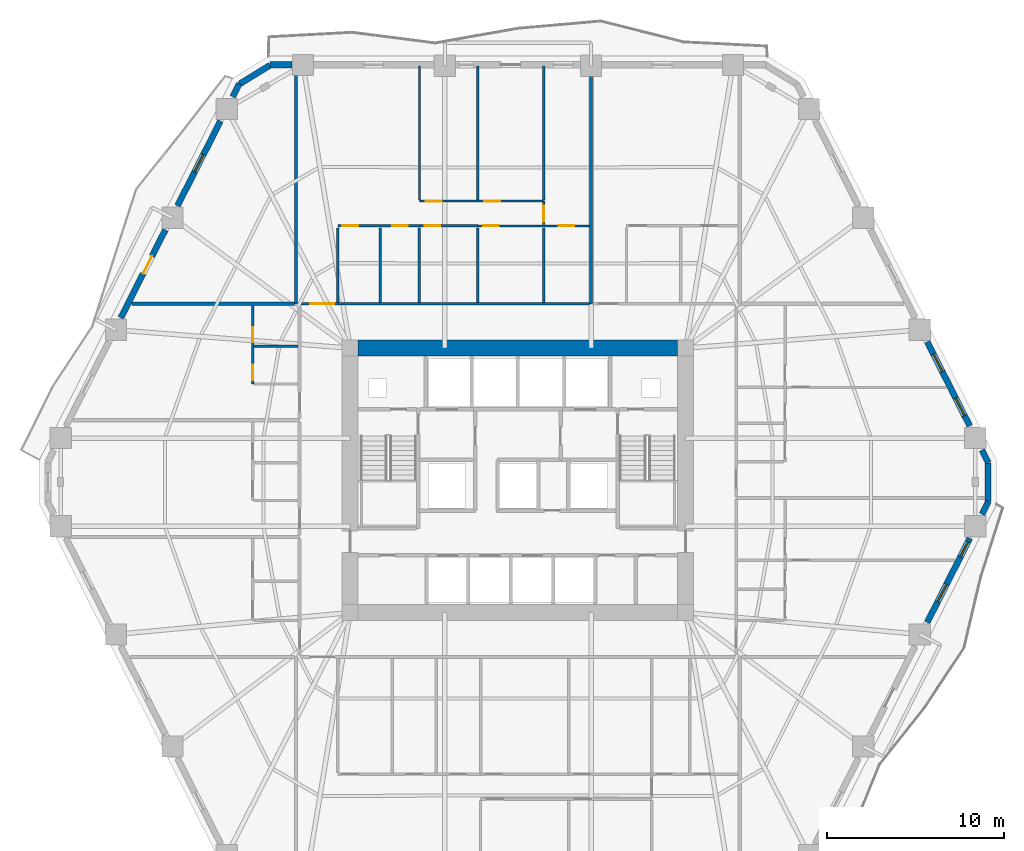
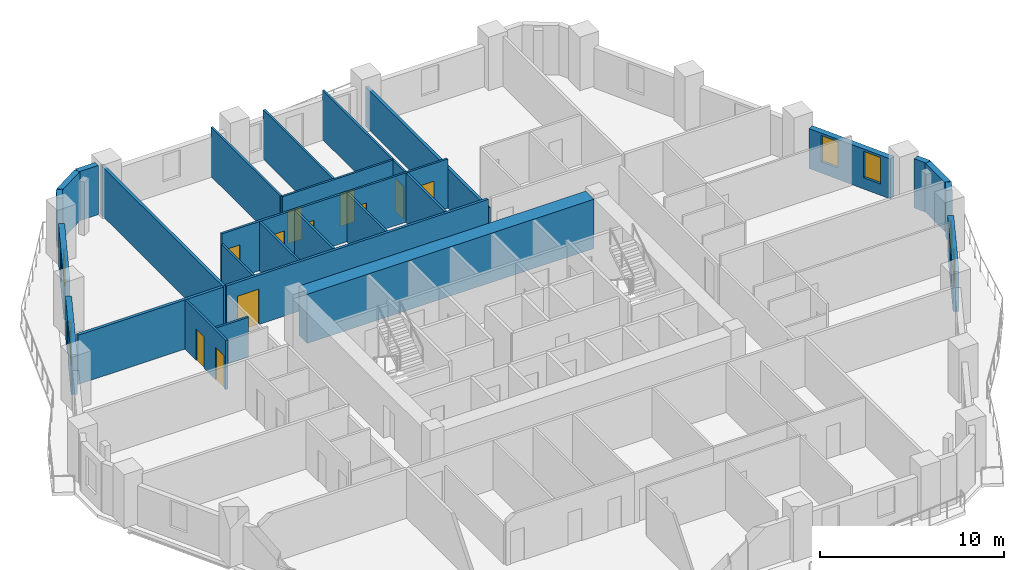
# One storey, part 7 of 12: 30 walls, 12 doors, 5 windows, 17 openings.
"""IFC4 building model written with IfcOpenShell, lengths in metres."""

from ifc_helpers import new_model, si_unit, direction, frame, frame_2d, origin, place, context, subcontext, project, spatial, rectangle, extrude, material, layer, layer_set, type_object, element, fill, save


model = new_model("IFC4")

# Units and contexts
model_context = context("Model", 3, precision=1e-05, world=origin(), true_north=direction((0.0, 1.0)))
body_context = subcontext(model_context, "Body", "Model", "MODEL_VIEW")
ifc_project = project(units=[si_unit("LENGTHUNIT", "METRE"), si_unit("AREAUNIT", "SQUARE_METRE"), si_unit("VOLUMEUNIT", "CUBIC_METRE"), si_unit("PLANEANGLEUNIT", "RADIAN"), si_unit("MASSUNIT", "GRAM", prefix="KILO")], contexts=[model_context])

# Site, building, storey
site_placement = place(None, origin())
site = spatial("IfcSite", under=ifc_project, at=site_placement, CompositionType="ELEMENT")
building_placement = place(site_placement, origin())
building = spatial("IfcBuilding", under=site, at=building_placement, Name="Cinnabar Lancet Tower", CompositionType="ELEMENT")
storey_placement = place(building_placement, frame((0.0, 0.0, 71.050048828125)))
storey = spatial("IfcBuildingStorey", under=building, at=storey_placement, Name="L18", CompositionType="ELEMENT", Elevation=71.050048828125)

# Wall, opening, door
ifc_material_1 = material(Name="Acoustic twin-stud gypsum partition", Category="gypsum")
ifc_layer_1 = layer(ifc_material_1, 0.159912109375)
ifc_layer_set_1 = layer_set([ifc_layer_1], Name="Acoustic twin-stud gypsum partition")
wall_type_1 = type_object("IfcWallType", Name="ARC-WL-CORR-160", PredefinedType="PARTITIONING", material=ifc_layer_set_1)
wall_1_placement = place(storey_placement, frame((19.9951171875, 35.85009765625, 0.0), z_axis=(0.0, 0.0, 1.0), x_axis=(1.0, 0.0, 0.0)))
wall_1 = element("IfcWall", 1, at=wall_1_placement, inside=storey, type_object=wall_type_1, Name="L18 Unit N01 Corridor Wall", PredefinedType="PARTITIONING", context=body_context, shape_type="SweptSolid", body=[
    extrude(rectangle(XDim=16.431884765625, YDim=0.159912109375, at=frame_2d((8.2158203125, 0.0))), origin(), (0.0, 0.0, 1.0), 3.27001953125),
])
opening_1_placement = place(wall_1_placement, frame((0.705078125, 0.0, 0.0)))
opening_1 = element("IfcOpeningElement", 2, at=opening_1_placement, cuts=wall_1, Name="Opening UD-02", PredefinedType="OPENING", context=body_context, shape_type="SweptSolid", body=[
    extrude(rectangle(XDim=1.35009765625, YDim=2.35009765625, at=frame_2d((0.675048828125, 1.175048828125))), frame((0.0, 0.08984375, 0.0), z_axis=(0.0, -1.0, 0.0), x_axis=(1.0, 0.0, 0.0)), (0.0, 0.0, 1.0), 0.179931640625),
])
ifc_material_2 = material(Name="Double-leaf solid timber penthouse entrance door", Category="wood")
door_type_1 = type_object("IfcDoorType", Name="ARC-DR-UNIT-PH", OperationType="NOTDEFINED", PredefinedType="DOOR", material=ifc_material_2)
door_1_placement = place(opening_1_placement, origin())
door_1 = element("IfcDoor", 3, at=door_1_placement, inside=storey, type_object=door_type_1, Name="DR-L18-N01-ENT", OperationType="SINGLE_SWING_RIGHT", OverallHeight=2.35009765625, OverallWidth=1.35009765625, PredefinedType="DOOR", context=body_context, shape_type="SweptSolid", body=[
    extrude(rectangle(XDim=1.35009765625, YDim=2.35009765625, at=frame_2d((0.675048828125, 1.175048828125))), frame((0.0, 0.02490234375, 0.0), z_axis=(0.0, -1.0, 0.0), x_axis=(1.0, 0.0, 0.0)), (0.0, 0.0, 1.0), 0.050048828125),
])
fill(opening_1, door_1)

# Walls
ifc_material_3 = material(Name="Fire-rated twin-frame acoustic drywall", Category="gypsum")
ifc_layer_2 = layer(ifc_material_3, 0.179931640625)
ifc_layer_set_2 = layer_set([ifc_layer_2], Name="Fire-rated twin-frame acoustic drywall")
wall_type_2 = type_object("IfcWallType", Name="ARC-WL-PARTY-180", PredefinedType="PARTITIONING", material=ifc_layer_set_2)
wall_2_placement = place(storey_placement, frame((19.89990234375, 35.85009765625, 0.0), z_axis=(0.0, 0.0, 1.0), x_axis=(0.0, 1.0, 0.0)))
element("IfcWall", 4, at=wall_2_placement, inside=storey, type_object=wall_type_2, Name="PW-L18-NPTY-199", PredefinedType="PARTITIONING", context=body_context, shape_type="SweptSolid", body=[
    extrude(rectangle(XDim=13.294921875, YDim=0.179931640625, at=frame_2d((6.6474609375, 0.0))), origin(), (0.0, 0.0, 1.0), 3.27001953125),
])
wall_3_placement = place(storey_placement, frame((36.52197265625, 35.85009765625, 0.0), z_axis=(0.0, 0.0, 1.0), x_axis=(0.0, 1.0, 0.0)))
element("IfcWall", 5, at=wall_3_placement, inside=storey, type_object=wall_type_2, Name="PW-L18-NPTY-365", PredefinedType="PARTITIONING", context=body_context, shape_type="SweptSolid", body=[
    extrude(rectangle(XDim=13.294921875, YDim=0.179931640625, at=frame_2d((6.6474609375, 0.0))), origin(), (0.0, 0.0, 1.0), 2.639892578125),
])
wall_4_placement = place(storey_placement, frame((10.6650390625, 35.85009765625, 0.0), z_axis=(0.0, 0.0, 1.0), x_axis=(1.0, 0.0, 0.0)))
element("IfcWall", 6, at=wall_4_placement, inside=storey, type_object=wall_type_2, Name="PW-L18-WNB", PredefinedType="PARTITIONING", context=body_context, shape_type="SweptSolid", body=[
    extrude(rectangle(XDim=9.139892578125, YDim=0.179931640625, at=frame_2d((4.56982421875, 0.0))), origin(), (0.0, 0.0, 1.0), 3.27001953125),
])
ifc_material_4 = material(Name="Gypsum plasterboard stud partition", Category="gypsum")
ifc_layer_3 = layer(ifc_material_4, 0.125)
ifc_layer_set_3 = layer_set([ifc_layer_3], Name="Gypsum plasterboard stud partition")
wall_type_3 = type_object("IfcWallType", Name="ARC-WL-UNIT-125", PredefinedType="PARTITIONING", material=ifc_layer_set_3)
wall_5_placement = place(storey_placement, frame((22.25, 35.93505859375, 0.0), z_axis=(0.0, 0.0, 1.0), x_axis=(0.0, 1.0, 0.0)))
element("IfcWall", 7, at=wall_5_placement, inside=storey, type_object=wall_type_3, Name="UW-L18-N01-FOYE", PredefinedType="PARTITIONING", context=body_context, shape_type="SweptSolid", body=[
    extrude(rectangle(XDim=4.197021484375, YDim=0.125, at=frame_2d((2.0986328125, 0.0))), origin(), (0.0, 0.0, 1.0), 2.639892578125),
])

# Wall, openings, doors
wall_6_placement = place(storey_placement, frame((30.137939453125, 40.237060546875, 0.0), z_axis=(0.0, 0.0, 1.0), x_axis=(1.0, 0.0, 0.0)))
wall_6 = element("IfcWall", 8, at=wall_6_placement, inside=storey, type_object=wall_type_3, Name="UW-L18-N01-SP2", PredefinedType="PARTITIONING", context=body_context, shape_type="SweptSolid", body=[
    extrude(rectangle(XDim=6.2890625, YDim=0.125, at=frame_2d((3.14453125, 0.0))), origin(), (0.0, 0.0, 1.0), 3.27001953125),
])
opening_2_placement = place(wall_6_placement, frame((4.574951171875, 0.0, 0.0)))
opening_2 = element("IfcOpeningElement", 9, at=opening_2_placement, cuts=wall_6, Name="Opening BD-01", PredefinedType="OPENING", context=body_context, shape_type="SweptSolid", body=[
    extrude(rectangle(XDim=0.860107421875, YDim=2.10009765625, at=frame_2d((0.43017578125, 1.050048828125))), frame((0.0, 0.072509765625, 0.0), z_axis=(0.0, -1.0, 0.0), x_axis=(1.0, 0.0, 0.0)), (0.0, 0.0, 1.0), 0.14501953125),
])
opening_3_placement = place(wall_6_placement, frame((0.300048828125, 0.0, 0.0)))
opening_3 = element("IfcOpeningElement", 10, at=opening_3_placement, cuts=wall_6, Name="Opening RD-02", PredefinedType="OPENING", context=body_context, shape_type="SweptSolid", body=[
    extrude(rectangle(XDim=0.8798828125, YDim=2.14990234375, at=frame_2d((0.43994140625, 1.074951171875))), frame((0.0, 0.072509765625, 0.0), z_axis=(0.0, -1.0, 0.0), x_axis=(1.0, 0.0, 0.0)), (0.0, 0.0, 1.0), 0.14501953125),
])
ifc_material_5 = material(Name="Moisture-resistant timber bathroom door", Category="wood")
door_type_2 = type_object("IfcDoorType", Name="ARC-DR-BATH", OperationType="NOTDEFINED", PredefinedType="DOOR", material=ifc_material_5)
door_2_placement = place(opening_2_placement, origin())
door_2 = element("IfcDoor", 11, at=door_2_placement, inside=storey, type_object=door_type_2, Name="DR-L18-N01-ENS", OperationType="SINGLE_SWING_LEFT", OverallHeight=2.10009765625, OverallWidth=0.860107421875, PredefinedType="DOOR", context=body_context, shape_type="SweptSolid", body=[
    extrude(rectangle(XDim=0.860107421875, YDim=2.10009765625, at=frame_2d((0.43017578125, 1.050048828125))), frame((0.0, 0.02490234375, 0.0), z_axis=(0.0, -1.0, 0.0), x_axis=(1.0, 0.0, 0.0)), (0.0, 0.0, 1.0), 0.050048828125),
])
fill(opening_2, door_2)
ifc_material_6 = material(Name="Engineered timber study door", Category="wood")
door_type_3 = type_object("IfcDoorType", Name="ARC-DR-STUDY", OperationType="NOTDEFINED", PredefinedType="DOOR", material=ifc_material_6)
door_3_placement = place(opening_3_placement, origin())
door_3 = element("IfcDoor", 12, at=door_3_placement, inside=storey, type_object=door_type_3, Name="DR-L18-N01-DRS", OperationType="SINGLE_SWING_RIGHT", OverallHeight=2.14990234375, OverallWidth=0.8798828125, PredefinedType="DOOR", context=body_context, shape_type="SweptSolid", body=[
    extrude(rectangle(XDim=0.8798828125, YDim=2.14990234375, at=frame_2d((0.43994140625, 1.074951171875))), frame((0.0, 0.02490234375, 0.0), z_axis=(0.0, -1.0, 0.0), x_axis=(1.0, 0.0, 0.0)), (0.0, 0.0, 1.0), 0.050048828125),
])
fill(opening_3, door_3)

# Wall
wall_7_placement = place(storey_placement, frame((26.85009765625, 41.701904296875, 0.0), z_axis=(0.0, 0.0, 1.0), x_axis=(0.0, 1.0, 0.0)))
element("IfcWall", 13, at=wall_7_placement, inside=storey, type_object=wall_type_3, Name="UW-L18-N01-BD2W", PredefinedType="PARTITIONING", context=body_context, shape_type="SweptSolid", body=[
    extrude(rectangle(XDim=7.533203125, YDim=0.125, at=frame_2d((3.7666015625, 0.0))), origin(), (0.0, 0.0, 1.0), 3.27001953125),
])

# Wall, openings, doors
wall_8_placement = place(storey_placement, frame((26.85009765625, 41.636962890625, 0.0), z_axis=(0.0, 0.0, 1.0), x_axis=(1.0, 0.0, 0.0)))
wall_8 = element("IfcWall", 14, at=wall_8_placement, inside=storey, type_object=wall_type_3, Name="UW-L18-N01-HLN", PredefinedType="PARTITIONING", context=body_context, shape_type="SweptSolid", body=[
    extrude(rectangle(XDim=7.0, YDim=0.125, at=frame_2d((3.5, 0.0))), origin(), (0.0, 0.0, 1.0), 3.27001953125),
])
opening_4_placement = place(wall_8_placement, frame((0.35009765625, 0.0, 0.0)))
opening_4 = element("IfcOpeningElement", 15, at=opening_4_placement, cuts=wall_8, Name="Opening RD-01", PredefinedType="OPENING", context=body_context, shape_type="SweptSolid", body=[
    extrude(rectangle(XDim=0.919921875, YDim=2.14990234375, at=frame_2d((0.4599609375, 1.074951171875))), frame((0.0, 0.072509765625, 0.0), z_axis=(0.0, -1.0, 0.0), x_axis=(1.0, 0.0, 0.0)), (0.0, 0.0, 1.0), 0.14501953125),
])
opening_5_placement = place(wall_8_placement, frame((3.637939453125, 0.0, 0.0)))
opening_5 = element("IfcOpeningElement", 16, at=opening_5_placement, cuts=wall_8, Name="Opening RD-01", PredefinedType="OPENING", context=body_context, shape_type="SweptSolid", body=[
    extrude(rectangle(XDim=0.919921875, YDim=2.14990234375, at=frame_2d((0.4599609375, 1.074951171875))), frame((0.0, 0.072509765625, 0.0), z_axis=(0.0, -1.0, 0.0), x_axis=(1.0, 0.0, 0.0)), (0.0, 0.0, 1.0), 0.14501953125),
])
ifc_material_7 = material(Name="Engineered timber bedroom door", Category="wood")
door_type_4 = type_object("IfcDoorType", Name="ARC-DR-ROOM", OperationType="NOTDEFINED", PredefinedType="DOOR", material=ifc_material_7)
door_4_placement = place(opening_4_placement, origin())
door_4 = element("IfcDoor", 17, at=door_4_placement, inside=storey, type_object=door_type_4, Name="DR-L18-N01-BD2", OperationType="SINGLE_SWING_LEFT", OverallHeight=2.14990234375, OverallWidth=0.919921875, PredefinedType="DOOR", context=body_context, shape_type="SweptSolid", body=[
    extrude(rectangle(XDim=0.919921875, YDim=2.14990234375, at=frame_2d((0.4599609375, 1.074951171875))), frame((0.0, 0.02490234375, 0.0), z_axis=(0.0, -1.0, 0.0), x_axis=(1.0, 0.0, 0.0)), (0.0, 0.0, 1.0), 0.050048828125),
])
fill(opening_4, door_4)
door_5_placement = place(opening_5_placement, origin())
door_5 = element("IfcDoor", 18, at=door_5_placement, inside=storey, type_object=door_type_4, Name="DR-L18-N01-BD3", OperationType="SINGLE_SWING_RIGHT", OverallHeight=2.14990234375, OverallWidth=0.919921875, PredefinedType="DOOR", context=body_context, shape_type="SweptSolid", body=[
    extrude(rectangle(XDim=0.919921875, YDim=2.14990234375, at=frame_2d((0.4599609375, 1.074951171875))), frame((0.0, 0.02490234375, 0.0), z_axis=(0.0, -1.0, 0.0), x_axis=(1.0, 0.0, 0.0)), (0.0, 0.0, 1.0), 0.050048828125),
])
fill(opening_5, door_5)

# Wall, opening, door
wall_9_placement = place(storey_placement, frame((33.85009765625, 40.306884765625, 0.0), z_axis=(0.0, 0.0, 1.0), x_axis=(0.0, 1.0, 0.0)))
wall_9 = element("IfcWall", 19, at=wall_9_placement, inside=storey, type_object=wall_type_3, Name="UW-L18-N01-MBE", PredefinedType="PARTITIONING", context=body_context, shape_type="SweptSolid", body=[
    extrude(rectangle(XDim=1.330078125, YDim=0.125, at=frame_2d((0.6650390625, 0.0))), origin(), (0.0, 0.0, 1.0), 3.27001953125),
])
opening_6_placement = place(wall_9_placement, frame((0.159912109375, 0.0, 0.0)))
opening_6 = element("IfcOpeningElement", 20, at=opening_6_placement, cuts=wall_9, Name="Opening RD-01", PredefinedType="OPENING", context=body_context, shape_type="SweptSolid", body=[
    extrude(rectangle(XDim=0.919921875, YDim=2.14990234375, at=frame_2d((0.4599609375, 1.074951171875))), frame((0.0, 0.072509765625, 0.0), z_axis=(0.0, -1.0, 0.0), x_axis=(1.0, 0.0, 0.0)), (0.0, 0.0, 1.0), 0.14501953125),
])
door_6_placement = place(opening_6_placement, origin())
door_6 = element("IfcDoor", 21, at=door_6_placement, inside=storey, type_object=door_type_4, Name="DR-L18-N01-MBD", OperationType="SINGLE_SWING_LEFT", OverallHeight=2.14990234375, OverallWidth=0.919921875, PredefinedType="DOOR", context=body_context, shape_type="SweptSolid", body=[
    extrude(rectangle(XDim=0.919921875, YDim=2.14990234375, at=frame_2d((0.4599609375, 1.074951171875))), frame((0.0, 0.02490234375, 0.0), z_axis=(0.0, -1.0, 0.0), x_axis=(1.0, 0.0, 0.0)), (0.0, 0.0, 1.0), 0.050048828125),
])
fill(opening_6, door_6)

# Walls
for number, where, z_axis, x_axis, name in (
    (22, (30.137939453125, 41.701904296875, 0.0), (0.0, 0.0, 1.0), (0.0, 1.0, 0.0), "UW-L18-N01-MB2W"),
    (23, (33.85009765625, 41.701904296875, 0.0), (0.0, 0.0, 1.0), (0.0, 1.0, 0.0), "UW-L18-N01-B23W"),
):
    element("IfcWall", number, at=place(storey_placement, frame(where, z_axis=z_axis, x_axis=x_axis)), inside=storey, type_object=wall_type_3, Name=name, PredefinedType="PARTITIONING", context=body_context, shape_type="SweptSolid", body=[
        extrude(rectangle(XDim=7.533203125, YDim=0.125, at=frame_2d((3.7666015625, 0.0))), origin(), (0.0, 0.0, 1.0), 3.27001953125),
    ])

# Wall, openings, doors
ifc_material_8 = material(Name="Moisture-resistant cement-board plumbing wall", Category="masonry")
ifc_layer_4 = layer(ifc_material_8, 0.139892578125)
ifc_layer_set_4 = layer_set([ifc_layer_4], Name="Moisture-resistant cement-board plumbing wall")
wall_type_4 = type_object("IfcWallType", Name="ARC-WL-WET-140", PredefinedType="PLUMBINGWALL", material=ifc_layer_set_4)
wall_10_placement = place(storey_placement, frame((22.25, 40.237060546875, 0.0), z_axis=(0.0, 0.0, 1.0), x_axis=(1.0, 0.0, 0.0)))
wall_10 = element("IfcWall", 24, at=wall_10_placement, inside=storey, type_object=wall_type_4, Name="UW-L18-N01-SPL", PredefinedType="PLUMBINGWALL", context=body_context, shape_type="SweptSolid", body=[
    extrude(rectangle(XDim=4.60009765625, YDim=0.139892578125, at=frame_2d((2.300048828125, 0.0))), origin(), (0.0, 0.0, 1.0), 3.27001953125),
])
opening_7_placement = place(wall_10_placement, frame((3.071044921875, 0.0, 0.0)))
opening_7 = element("IfcOpeningElement", 25, at=opening_7_placement, cuts=wall_10, Name="Opening BD-01", PredefinedType="OPENING", context=body_context, shape_type="SweptSolid", body=[
    extrude(rectangle(XDim=0.860107421875, YDim=2.10009765625, at=frame_2d((0.43017578125, 1.050048828125))), frame((0.0, 0.079833984375, 0.0), z_axis=(0.0, -1.0, 0.0), x_axis=(1.0, 0.0, 0.0)), (0.0, 0.0, 1.0), 0.159912109375),
])
opening_8_placement = place(wall_10_placement, frame((0.260009765625, 0.0, 0.0)))
opening_8 = element("IfcOpeningElement", 26, at=opening_8_placement, cuts=wall_10, Name="Opening RD-02", PredefinedType="OPENING", context=body_context, shape_type="SweptSolid", body=[
    extrude(rectangle(XDim=0.8798828125, YDim=2.14990234375, at=frame_2d((0.43994140625, 1.074951171875))), frame((0.0, 0.079833984375, 0.0), z_axis=(0.0, -1.0, 0.0), x_axis=(1.0, 0.0, 0.0)), (0.0, 0.0, 1.0), 0.159912109375),
])
door_7_placement = place(opening_7_placement, origin())
door_7 = element("IfcDoor", 27, at=door_7_placement, inside=storey, type_object=door_type_2, Name="DR-L18-N01-BTH", OperationType="SINGLE_SWING_RIGHT", OverallHeight=2.10009765625, OverallWidth=0.860107421875, PredefinedType="DOOR", context=body_context, shape_type="SweptSolid", body=[
    extrude(rectangle(XDim=0.860107421875, YDim=2.10009765625, at=frame_2d((0.43017578125, 1.050048828125))), frame((0.0, 0.02490234375, 0.0), z_axis=(0.0, -1.0, 0.0), x_axis=(1.0, 0.0, 0.0)), (0.0, 0.0, 1.0), 0.050048828125),
])
fill(opening_7, door_7)
door_8_placement = place(opening_8_placement, origin())
door_8 = element("IfcDoor", 28, at=door_8_placement, inside=storey, type_object=door_type_3, Name="DR-L18-N01-KIT", OperationType="SINGLE_SWING_LEFT", OverallHeight=2.14990234375, OverallWidth=0.8798828125, PredefinedType="DOOR", context=body_context, shape_type="SweptSolid", body=[
    extrude(rectangle(XDim=0.8798828125, YDim=2.14990234375, at=frame_2d((0.43994140625, 1.074951171875))), frame((0.0, 0.02490234375, 0.0), z_axis=(0.0, -1.0, 0.0), x_axis=(1.0, 0.0, 0.0)), (0.0, 0.0, 1.0), 0.050048828125),
])
fill(opening_8, door_8)

# Wall, opening, door
wall_11_placement = place(storey_placement, frame((26.85009765625, 40.237060546875, 0.0), z_axis=(0.0, 0.0, 1.0), x_axis=(1.0, 0.0, 0.0)))
wall_11 = element("IfcWall", 29, at=wall_11_placement, inside=storey, type_object=wall_type_4, Name="UW-L18-N01-SPM", PredefinedType="PLUMBINGWALL", context=body_context, shape_type="SweptSolid", body=[
    extrude(rectangle(XDim=3.287841796875, YDim=0.139892578125, at=frame_2d((1.64404296875, 0.0))), origin(), (0.0, 0.0, 1.0), 3.27001953125),
])
opening_9_placement = place(wall_11_placement, frame((0.300048828125, 0.0, 0.0)))
opening_9 = element("IfcOpeningElement", 30, at=opening_9_placement, cuts=wall_11, Name="Opening RD-02", PredefinedType="OPENING", context=body_context, shape_type="SweptSolid", body=[
    extrude(rectangle(XDim=0.8798828125, YDim=2.14990234375, at=frame_2d((0.43994140625, 1.074951171875))), frame((0.0, 0.079833984375, 0.0), z_axis=(0.0, -1.0, 0.0), x_axis=(1.0, 0.0, 0.0)), (0.0, 0.0, 1.0), 0.159912109375),
])
door_9_placement = place(opening_9_placement, origin())
door_9 = element("IfcDoor", 31, at=door_9_placement, inside=storey, type_object=door_type_3, Name="DR-L18-N01-UTL", OperationType="SINGLE_SWING_RIGHT", OverallHeight=2.14990234375, OverallWidth=0.8798828125, PredefinedType="DOOR", context=body_context, shape_type="SweptSolid", body=[
    extrude(rectangle(XDim=0.8798828125, YDim=2.14990234375, at=frame_2d((0.43994140625, 1.074951171875))), frame((0.0, 0.02490234375, 0.0), z_axis=(0.0, -1.0, 0.0), x_axis=(1.0, 0.0, 0.0)), (0.0, 0.0, 1.0), 0.050048828125),
])
fill(opening_9, door_9)

# Walls
for number, where, z_axis, x_axis, name in (
    (32, (24.64208984375, 35.93505859375, 0.0), (0.0, 0.0, 1.0), (0.0, 1.0, 0.0), "UW-L18-N01-KDV"),
    (33, (26.85009765625, 35.93505859375, 0.0), (0.0, 0.0, 1.0), (0.0, 1.0, 0.0), "UW-L18-N01-ENSW"),
    (34, (30.137939453125, 35.93505859375, 0.0), (0.0, 0.0, 1.0), (0.0, 1.0, 0.0), "UW-L18-N01-ENSE"),
    (35, (33.85009765625, 35.93505859375, 0.0), (0.0, 0.0, 1.0), (0.0, 1.0, 0.0), "UW-L18-N01-UT3"),
):
    element("IfcWall", number, at=place(storey_placement, frame(where, z_axis=z_axis, x_axis=x_axis)), inside=storey, type_object=wall_type_4, Name=name, PredefinedType="PLUMBINGWALL", context=body_context, shape_type="SweptSolid", body=[
        extrude(rectangle(XDim=4.197021484375, YDim=0.139892578125, at=frame_2d((2.0986328125, 0.0))), origin(), (0.0, 0.0, 1.0), 3.27001953125),
    ])

# Wall, openings, doors
wall_12_placement = place(storey_placement, frame((17.449951171875, 31.3330078125, 0.0), z_axis=(0.0, 0.0, 1.0), x_axis=(0.0, 1.0, 0.0)))
wall_12 = element("IfcWall", 36, at=wall_12_placement, inside=storey, type_object=wall_type_4, Name="UW-L18-W03-SPL", PredefinedType="PLUMBINGWALL", context=body_context, shape_type="SweptSolid", body=[
    extrude(rectangle(XDim=4.421875, YDim=0.139892578125, at=frame_2d((2.2109375, 0.0))), origin(), (0.0, 0.0, 1.0), 3.27001953125),
])
opening_10_placement = place(wall_12_placement, frame((2.343017578125, 0.0, 0.0)))
opening_10 = element("IfcOpeningElement", 37, at=opening_10_placement, cuts=wall_12, Name="Opening BD-01", PredefinedType="OPENING", context=body_context, shape_type="SweptSolid", body=[
    extrude(rectangle(XDim=0.860107421875, YDim=2.10009765625, at=frame_2d((0.43017578125, 1.050048828125))), frame((0.0, 0.079833984375, 0.0), z_axis=(0.0, -1.0, 0.0), x_axis=(1.0, 0.0, 0.0)), (0.0, 0.0, 1.0), 0.159912109375),
])
opening_11_placement = place(wall_12_placement, frame((0.199951171875, 0.0, 0.0)))
opening_11 = element("IfcOpeningElement", 38, at=opening_11_placement, cuts=wall_12, Name="Opening RD-02", PredefinedType="OPENING", context=body_context, shape_type="SweptSolid", body=[
    extrude(rectangle(XDim=0.8798828125, YDim=2.14990234375, at=frame_2d((0.43994140625, 1.074951171875))), frame((0.0, 0.079833984375, 0.0), z_axis=(0.0, -1.0, 0.0), x_axis=(1.0, 0.0, 0.0)), (0.0, 0.0, 1.0), 0.159912109375),
])
door_10_placement = place(opening_10_placement, origin())
door_10 = element("IfcDoor", 39, at=door_10_placement, inside=storey, type_object=door_type_2, Name="DR-L18-W03-BTH", OperationType="SINGLE_SWING_LEFT", OverallHeight=2.10009765625, OverallWidth=0.860107421875, PredefinedType="DOOR", context=body_context, shape_type="SweptSolid", body=[
    extrude(rectangle(XDim=0.860107421875, YDim=2.10009765625, at=frame_2d((0.43017578125, 1.050048828125))), frame((0.0, 0.02490234375, 0.0), z_axis=(0.0, -1.0, 0.0), x_axis=(1.0, 0.0, 0.0)), (0.0, 0.0, 1.0), 0.050048828125),
])
fill(opening_10, door_10)
door_11_placement = place(opening_11_placement, origin())
door_11 = element("IfcDoor", 40, at=door_11_placement, inside=storey, type_object=door_type_3, Name="DR-L18-W03-KIT", OperationType="SINGLE_SWING_RIGHT", OverallHeight=2.14990234375, OverallWidth=0.8798828125, PredefinedType="DOOR", context=body_context, shape_type="SweptSolid", body=[
    extrude(rectangle(XDim=0.8798828125, YDim=2.14990234375, at=frame_2d((0.43994140625, 1.074951171875))), frame((0.0, 0.02490234375, 0.0), z_axis=(0.0, -1.0, 0.0), x_axis=(1.0, 0.0, 0.0)), (0.0, 0.0, 1.0), 0.050048828125),
])
fill(opening_11, door_11)

# Walls
wall_13_placement = place(storey_placement, frame((17.534912109375, 33.4560546875, 0.0), z_axis=(0.0, 0.0, 1.0), x_axis=(1.0, 0.0, 0.0)))
element("IfcWall", 41, at=wall_13_placement, inside=storey, type_object=wall_type_4, Name="UW-L18-W03-KDV", PredefinedType="PLUMBINGWALL", context=body_context, shape_type="SweptSolid", body=[
    extrude(rectangle(XDim=2.47998046875, YDim=0.139892578125, at=frame_2d((1.239990234375, 0.0))), origin(), (0.0, 0.0, 1.0), 2.639892578125),
])
ifc_material_9 = material(Name="Cinnabar red clay brick", Category="masonry")
ifc_layer_5 = layer(ifc_material_9, 0.340087890625)
ifc_layer_set_5 = layer_set([ifc_layer_5], Name="Cinnabar red clay brick")
wall_type_5 = type_object("IfcWallType", Name="ENV-WL-BRK-RED-340", PredefinedType="STANDARD", material=ifc_layer_set_5)
wall_14_placement = place(storey_placement, frame((58.887939453125, 24.714111328125, 0.0), z_axis=(0.0, 0.0, 1.0), x_axis=(0.0, 1.0, 0.0)))
element("IfcWall", 42, at=wall_14_placement, inside=storey, type_object=wall_type_5, Name="L18 Chamfered Corner Brick Pier 3.1", PredefinedType="STANDARD", context=body_context, shape_type="SweptSolid", body=[
    extrude(rectangle(XDim=2.171875, YDim=0.340087890625, at=frame_2d((1.0859375, 0.0))), origin(), (0.0, 0.0, 1.0), 3.27001953125),
])
wall_15_placement = place(storey_placement, frame((18.43896484375, 49.294921875, 0.0), z_axis=(0.0, 0.0, 1.0), x_axis=(-0.851870104345, -0.523753114857, 0.0)))
element("IfcWall", 43, at=wall_15_placement, inside=storey, type_object=wall_type_5, Name="L18 Chamfered Corner Brick Pier 5.1", PredefinedType="STANDARD", context=body_context, shape_type="SweptSolid", body=[
    extrude(rectangle(XDim=2.017822265625, YDim=0.340087890625, at=frame_2d((1.0087890625, 0.0))), origin(), (0.0, 0.0, 1.0), 3.27001953125),
])

# Wall, openings, windows
wall_16_placement = place(storey_placement, frame((55.465087890625, 17.90087890625, 0.0), z_axis=(0.0, 0.0, 1.0), x_axis=(0.451572088722, 0.892234637686, 0.0)))
wall_16 = element("IfcWall", 44, at=wall_16_placement, inside=storey, type_object=wall_type_5, Name="L18 Face 2 Masonry Bay Wall 4", PredefinedType="STANDARD", context=body_context, shape_type="SweptSolid", body=[
    extrude(rectangle(XDim=5.3037109375, YDim=0.340087890625, at=frame_2d((2.65185546875, 0.0))), origin(), (0.0, 0.0, 1.0), 2.65185546875),
])
opening_12_placement = place(wall_16_placement, frame((1.300048828125, 0.0, 0.75)))
opening_12 = element("IfcOpeningElement", 45, at=opening_12_placement, cuts=wall_16, Name="Opening WN-04", PredefinedType="OPENING", context=body_context, shape_type="SweptSolid", body=[
    extrude(rectangle(XDim=1.10009765625, YDim=1.751953125, at=frame_2d((0.550048828125, 0.8759765625))), frame((0.0, 0.179931640625, 0.0), z_axis=(0.0, -1.0, 0.0), x_axis=(1.0, 0.0, 0.0)), (0.0, 0.0, 1.0), 0.360107421875),
])
opening_13_placement = place(wall_16_placement, frame((4.158935546875, 0.0, 0.75)))
opening_13 = element("IfcOpeningElement", 46, at=opening_13_placement, cuts=wall_16, Name="Opening WN-04", PredefinedType="OPENING", context=body_context, shape_type="SweptSolid", body=[
    extrude(rectangle(XDim=0.924072265625, YDim=1.751953125, at=frame_2d((0.4619140625, 0.8759765625))), frame((0.0, 0.179931640625, 0.0), z_axis=(0.0, -1.0, 0.0), x_axis=(1.0, 0.0, 0.0)), (0.0, 0.0, 1.0), 0.360107421875),
])
ifc_material_10 = material(Name="Thermally broken bronze-anodized aluminium tall lancet window", Category="aluminium")
window_type = type_object("IfcWindowType", Name="ENV-WN-LANCET-1100", PartitioningType="SINGLE_PANEL", PredefinedType="WINDOW", material=ifc_material_10)
window_1_placement = place(opening_12_placement, origin())
window_1 = element("IfcWindow", 47, at=window_1_placement, inside=storey, type_object=window_type, Name="L18 Face 2 Gothic Lancet Window 4", OverallHeight=1.751953125, OverallWidth=1.10009765625, PartitioningType="SINGLE_PANEL", PredefinedType="WINDOW", context=body_context, shape_type="SweptSolid", body=[
    extrude(rectangle(XDim=1.10009765625, YDim=1.751953125, at=frame_2d((0.550048828125, 0.8759765625))), frame((0.0, 0.030029296875, 0.0), z_axis=(0.0, -1.0, 0.0), x_axis=(1.0, 0.0, 0.0)), (0.0, 0.0, 1.0), 0.06005859375),
])
fill(opening_12, window_1)
window_2_placement = place(opening_13_placement, origin())
window_2 = element("IfcWindow", 48, at=window_2_placement, inside=storey, type_object=window_type, Name="L18 Split-Bay Gothic Lancet Window 47", OverallHeight=1.751953125, OverallWidth=0.924072265625, PartitioningType="SINGLE_PANEL", PredefinedType="WINDOW", context=body_context, shape_type="SweptSolid", body=[
    extrude(rectangle(XDim=0.924072265625, YDim=1.751953125, at=frame_2d((0.4619140625, 0.8759765625))), frame((0.0, 0.030029296875, 0.0), z_axis=(0.0, -1.0, 0.0), x_axis=(1.0, 0.0, 0.0)), (0.0, 0.0, 1.0), 0.06005859375),
])
fill(opening_13, window_2)

# Walls
for number, where, z_axis, x_axis, name in (
    (49, (58.548095703125, 23.9951171875, 0.0), (0.0, 0.0, 1.0), (0.452101093511, 0.891966704113, 0.0), "L18 Face 2 Masonry Bay Wall 5"),
    (50, (58.908935546875, 26.89306640625, 0.0), (0.0, 0.0, 1.0), (-0.452101093511, 0.891966704113, 0.0), "L18 Face 3 Masonry Bay Wall 1"),
):
    element("IfcWall", number, at=place(storey_placement, frame(where, z_axis=z_axis, x_axis=x_axis)), inside=storey, type_object=wall_type_5, Name=name, PredefinedType="STANDARD", context=body_context, shape_type="SweptSolid", body=[
        extrude(rectangle(XDim=0.798095703125, YDim=0.340087890625, at=frame_2d((0.39892578125, 0.0))), origin(), (0.0, 0.0, 1.0), 3.27001953125),
    ])

# Wall, openings, windows
wall_17_placement = place(storey_placement, frame((57.860107421875, 28.967041015625, 0.0), z_axis=(0.0, 0.0, 1.0), x_axis=(-0.451590635984, 0.892225250422, 0.0)))
wall_17 = element("IfcWall", 51, at=wall_17_placement, inside=storey, type_object=wall_type_5, Name="L18 Face 3 Masonry Bay Wall 2", PredefinedType="STANDARD", context=body_context, shape_type="SweptSolid", body=[
    extrude(rectangle(XDim=5.303466796875, YDim=0.340087890625, at=frame_2d((2.65185546875, 0.0))), origin(), (0.0, 0.0, 1.0), 2.65185546875),
])
opening_14_placement = place(wall_17_placement, frame((0.656982421875, 0.0, 0.75)))
opening_14 = element("IfcOpeningElement", 52, at=opening_14_placement, cuts=wall_17, Name="Opening WN-04", PredefinedType="OPENING", context=body_context, shape_type="SweptSolid", body=[
    extrude(rectangle(XDim=1.10009765625, YDim=1.751953125, at=frame_2d((0.550048828125, 0.8759765625))), frame((0.0, 0.179931640625, 0.0), z_axis=(0.0, -1.0, 0.0), x_axis=(1.0, 0.0, 0.0)), (0.0, 0.0, 1.0), 0.360107421875),
])
opening_15_placement = place(wall_17_placement, frame((3.428955078125, 0.0, 0.75)))
opening_15 = element("IfcOpeningElement", 53, at=opening_15_placement, cuts=wall_17, Name="Opening WN-04", PredefinedType="OPENING", context=body_context, shape_type="SweptSolid", body=[
    extrude(rectangle(XDim=1.10009765625, YDim=1.751953125, at=frame_2d((0.550048828125, 0.8759765625))), frame((0.0, 0.179931640625, 0.0), z_axis=(0.0, -1.0, 0.0), x_axis=(1.0, 0.0, 0.0)), (0.0, 0.0, 1.0), 0.360107421875),
])
window_3_placement = place(opening_14_placement, origin())
window_3 = element("IfcWindow", 54, at=window_3_placement, inside=storey, type_object=window_type, Name="L18 Face 3 Gothic Lancet Window 2", OverallHeight=1.751953125, OverallWidth=1.10009765625, PartitioningType="SINGLE_PANEL", PredefinedType="WINDOW", context=body_context, shape_type="SweptSolid", body=[
    extrude(rectangle(XDim=1.10009765625, YDim=1.751953125, at=frame_2d((0.550048828125, 0.8759765625))), frame((0.0, 0.030029296875, 0.0), z_axis=(0.0, -1.0, 0.0), x_axis=(1.0, 0.0, 0.0)), (0.0, 0.0, 1.0), 0.06005859375),
])
fill(opening_14, window_3)
window_4_placement = place(opening_15_placement, origin())
window_4 = element("IfcWindow", 55, at=window_4_placement, inside=storey, type_object=window_type, Name="L18 Split-Bay Gothic Lancet Window 48", OverallHeight=1.751953125, OverallWidth=1.10009765625, PartitioningType="SINGLE_PANEL", PredefinedType="WINDOW", context=body_context, shape_type="SweptSolid", body=[
    extrude(rectangle(XDim=1.10009765625, YDim=1.751953125, at=frame_2d((0.550048828125, 0.8759765625))), frame((0.0, 0.030029296875, 0.0), z_axis=(0.0, -1.0, 0.0), x_axis=(1.0, 0.0, 0.0)), (0.0, 0.0, 1.0), 0.06005859375),
])
fill(opening_15, window_4)

# Walls
wall_18_placement = place(storey_placement, frame((19.678955078125, 49.320068359375, 0.0), z_axis=(0.0, 0.0, 1.0), x_axis=(-1.0, 0.0, 0.0)))
element("IfcWall", 56, at=wall_18_placement, inside=storey, type_object=wall_type_5, Name="L18 Face 4 Masonry Bay Wall 5", PredefinedType="STANDARD", context=body_context, shape_type="SweptSolid", body=[
    extrude(rectangle(XDim=1.244873046875, YDim=0.340087890625, at=frame_2d((0.62255859375, 0.0))), origin(), (0.0, 0.0, 1.0), 3.27001953125),
])
wall_19_placement = place(storey_placement, frame((16.699951171875, 48.25390625, 0.0), z_axis=(0.0, 0.0, 1.0), x_axis=(-0.451995771866, -0.892020079491, 0.0)))
element("IfcWall", 57, at=wall_19_placement, inside=storey, type_object=wall_type_5, Name="L18 Face 5 Masonry Bay Wall 1", PredefinedType="STANDARD", context=body_context, shape_type="SweptSolid", body=[
    extrude(rectangle(XDim=0.836181640625, YDim=0.340087890625, at=frame_2d((0.41796875, 0.0))), origin(), (0.0, 0.0, 1.0), 3.27001953125),
])

# Wall, opening, window
wall_20_placement = place(storey_placement, frame((15.634033203125, 46.14599609375, 0.0), z_axis=(0.0, 0.0, 1.0), x_axis=(-0.451697561555, -0.892171123095, 0.0)))
wall_20 = element("IfcWall", 58, at=wall_20_placement, inside=storey, type_object=wall_type_5, Name="L18 Face 5 Masonry Bay Wall 2", PredefinedType="STANDARD", context=body_context, shape_type="SweptSolid", body=[
    extrude(rectangle(XDim=5.350830078125, YDim=0.340087890625, at=frame_2d((2.67529296875, 0.0))), origin(), (0.0, 0.0, 1.0), 2.65185546875),
])
opening_16_placement = place(wall_20_placement, frame((2.125, 0.0, 0.75)))
opening_16 = element("IfcOpeningElement", 59, at=opening_16_placement, cuts=wall_20, Name="Opening WN-04", PredefinedType="OPENING", context=body_context, shape_type="SweptSolid", body=[
    extrude(rectangle(XDim=1.10009765625, YDim=1.751953125, at=frame_2d((0.550048828125, 0.8759765625))), frame((0.0, 0.179931640625, 0.0), z_axis=(0.0, -1.0, 0.0), x_axis=(1.0, 0.0, 0.0)), (0.0, 0.0, 1.0), 0.360107421875),
])
window_5_placement = place(opening_16_placement, origin())
window_5 = element("IfcWindow", 60, at=window_5_placement, inside=storey, type_object=window_type, Name="L18 Face 5 Gothic Lancet Window 2", OverallHeight=1.751953125, OverallWidth=1.10009765625, PartitioningType="SINGLE_PANEL", PredefinedType="WINDOW", context=body_context, shape_type="SweptSolid", body=[
    extrude(rectangle(XDim=1.10009765625, YDim=1.751953125, at=frame_2d((0.550048828125, 0.8759765625))), frame((0.0, 0.030029296875, 0.0), z_axis=(0.0, -1.0, 0.0), x_axis=(1.0, 0.0, 0.0)), (0.0, 0.0, 1.0), 0.06005859375),
])
fill(opening_16, window_5)

# Wall, opening, door
wall_21_placement = place(storey_placement, frame((12.529052734375, 40.010009765625, 0.0), z_axis=(0.0, 0.0, 1.0), x_axis=(-0.451627137896, -0.892206774417, 0.0)))
wall_21 = element("IfcWall", 61, at=wall_21_placement, inside=storey, type_object=wall_type_5, Name="L18 Face 5 Masonry Bay Wall 3", PredefinedType="STANDARD", context=body_context, shape_type="SweptSolid", body=[
    extrude(rectangle(XDim=5.546875, YDim=0.340087890625, at=frame_2d((2.7734375, 0.0))), origin(), (0.0, 0.0, 1.0), 2.65185546875),
])
opening_17_placement = place(wall_21_placement, frame((1.656005859375, 0.0, 0.0)))
opening_17 = element("IfcOpeningElement", 62, at=opening_17_placement, cuts=wall_21, Name="Opening TD-01", PredefinedType="OPENING", context=body_context, shape_type="SweptSolid", body=[
    extrude(rectangle(XDim=1.10009765625, YDim=2.25, at=frame_2d((0.550048828125, 1.125))), frame((0.0, 0.179931640625, 0.0), z_axis=(0.0, -1.0, 0.0), x_axis=(1.0, 0.0, 0.0)), (0.0, 0.0, 1.0), 0.360107421875),
])
ifc_material_11 = material(Name="Thermally broken low-E glazed balcony terrace door", Category="wood")
door_type_5 = type_object("IfcDoorType", Name="ARC-DR-BALC", OperationType="NOTDEFINED", PredefinedType="DOOR", material=ifc_material_11)
door_12_placement = place(opening_17_placement, origin())
door_12 = element("IfcDoor", 63, at=door_12_placement, inside=storey, type_object=door_type_5, Name="L18 Face 5 Glazed Terrace Door", OperationType="SINGLE_SWING_RIGHT", OverallHeight=2.25, OverallWidth=1.10009765625, PredefinedType="DOOR", context=body_context, shape_type="SweptSolid", body=[
    extrude(rectangle(XDim=1.10009765625, YDim=2.25, at=frame_2d((0.550048828125, 1.125))), frame((0.0, 0.02490234375, 0.0), z_axis=(0.0, -1.0, 0.0), x_axis=(1.0, 0.0, 0.0)), (0.0, 0.0, 1.0), 0.050048828125),
])
fill(opening_17, door_12)

# Wall
ifc_material_12 = material(Name="Concrete C80/95", Category="concrete")
ifc_layer_6 = layer(ifc_material_12, 0.89990234375)
ifc_layer_set_6 = layer_set([ifc_layer_6], Name="Concrete C80/95")
wall_type_6 = type_object("IfcWallType", Name="STR-WL-CORE-900", PredefinedType="SHEAR", material=ifc_layer_set_6)
wall_22_placement = place(storey_placement, frame((23.39990234375, 33.35009765625, 0.0), z_axis=(0.0, 0.0, 1.0), x_axis=(1.0, 0.0, 0.0)))
element("IfcWall", 64, at=wall_22_placement, inside=storey, type_object=wall_type_6, Name="L18 Core Shear Wall N", PredefinedType="SHEAR", context=body_context, shape_type="SweptSolid", body=[
    extrude(rectangle(XDim=18.0, YDim=0.89990234375, at=frame_2d((9.0, 0.0))), origin(), (0.0, 0.0, 1.0), 3.27001953125),
])

save(model, "model.ifc")
